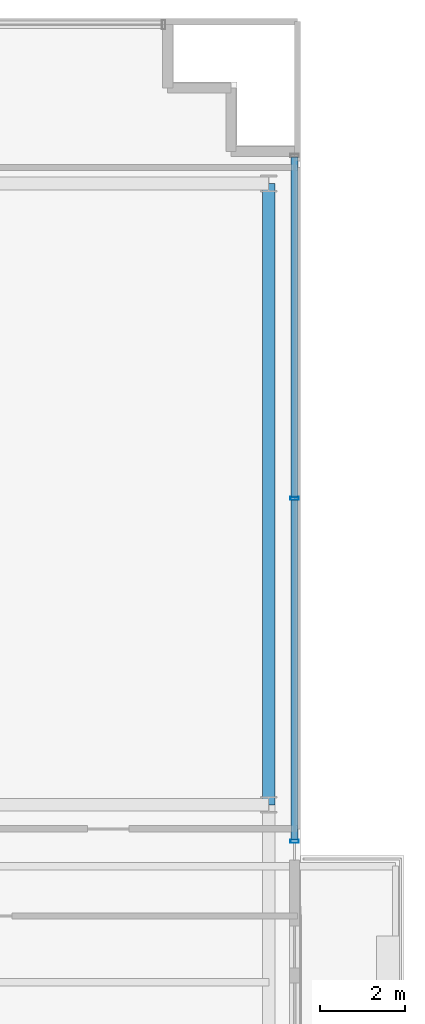
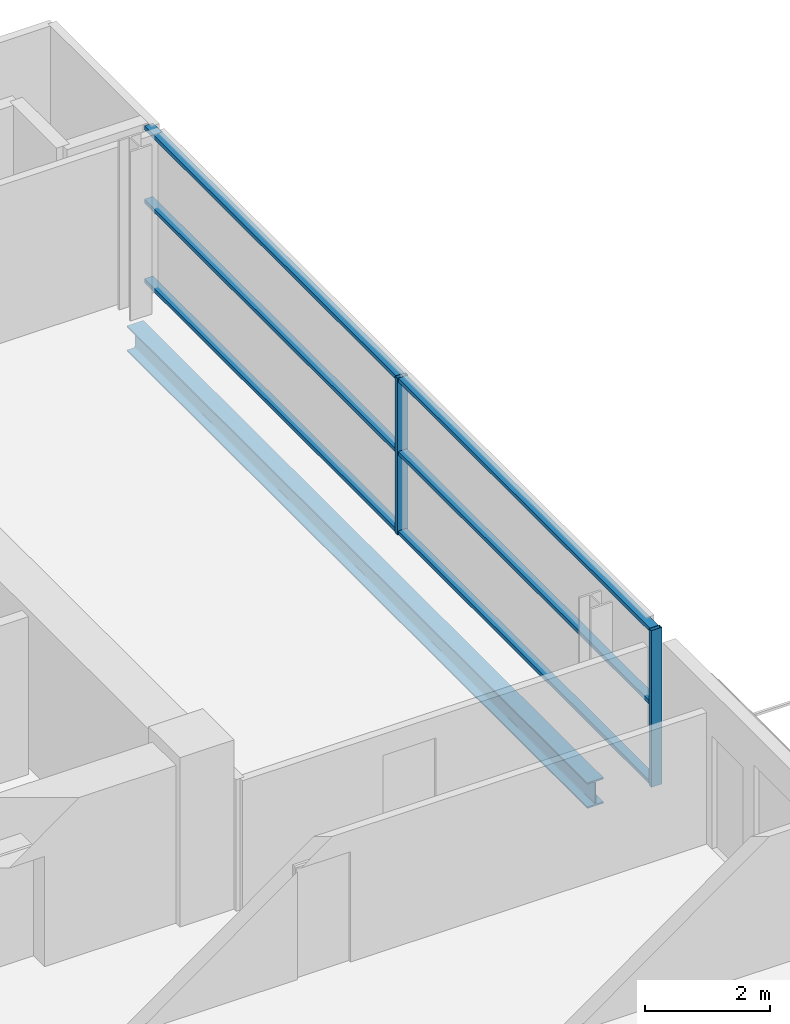
# One storey, part 12 of 25: 8 members, 1 beam, 1 element without a shape of its own.
"""IFC4 building model written with IfcOpenShell, lengths in metres."""

from ifc_helpers import new_model, si_unit, direction, frame, origin, origin_2d, place, context, subcontext, project, spatial, hollow_rectangle, i_section, extrude, source, transform, mapped, material, layer, layer_set, material_profile, profile_set, type_object, element, aggregate, save


model = new_model("IFC4")

# Units and contexts
model_context = context("Model", 3, precision=1e-05, world=origin(), true_north=direction((0.0, 1.0)))
body_context = subcontext(model_context, "Body", "Model", "MODEL_VIEW")
ifc_project = project(units=[si_unit("LENGTHUNIT", "METRE"), si_unit("AREAUNIT", "SQUARE_METRE"), si_unit("VOLUMEUNIT", "CUBIC_METRE"), si_unit("PLANEANGLEUNIT", "RADIAN"), si_unit("MASSUNIT", "GRAM", prefix="KILO")], contexts=[model_context])

# Site, building, storey
site_placement = place(None, origin())
site = spatial("IfcSite", under=ifc_project, at=site_placement, CompositionType="ELEMENT")
building_placement = place(site_placement, origin())
building = spatial("IfcBuilding", under=site, at=building_placement, Name="Zarnakvel Exchange Tower", CompositionType="ELEMENT")
storey_placement = place(building_placement, frame((0.0, 0.0, 162.699951171875)))
storey = spatial("IfcBuildingStorey", under=building, at=storey_placement, Name="L45", CompositionType="ELEMENT", Elevation=162.699951171875)

# Beam
ifc_material_1 = material(Name="Steel S355", Category="steel")
ifc_material_profile_1 = material_profile(ifc_material_1, i_section(OverallWidth=0.300048828125, OverallDepth=0.5, WebThickness=0.014404296875, FlangeThickness=0.028076171875, FilletRadius=0.027099609375, at=origin_2d()))
ifc_profile_set_1 = profile_set([ifc_material_profile_1], Name="Steel S355")
beam_type = type_object("IfcBeamType", Name="SP-02", PredefinedType="SPANDREL", material=ifc_profile_set_1)
beam_placement = place(storey_placement, frame((21.85009765625, -1.199951171875, -0.474853515625), z_axis=(0.0, 1.0, 0.0), x_axis=(-1.0, 0.0, 0.0)))
element("IfcBeam", 1, at=beam_placement, inside=storey, type_object=beam_type, Name="L45 Tower N-S Frame Beam", PredefinedType="SPANDREL", context=body_context, shape_type="SweptSolid", body=[
    extrude(i_section(OverallWidth=0.300048828125, OverallDepth=0.5, WebThickness=0.014404296875, FlangeThickness=0.028076171875, FilletRadius=0.027099609375, at=origin_2d()), origin(), (0.0, 0.0, 1.0), 14.699951171875),
])

# Curtain wall, members
ifc_material_2 = material(Name="Architectural Bronze Anodised Aluminium", Category="aluminium")
ifc_layer = layer(ifc_material_2, 0.199951171875)
ifc_layer_set = layer_set([ifc_layer], Name="Architectural Bronze Anodised Aluminium")
curtain_wall_type = type_object("IfcCurtainWallType", Name="CW-04", PredefinedType="NOTDEFINED", material=ifc_layer_set)
curtain_wall_placement = place(storey_placement, origin())
curtain_wall = element("IfcCurtainWall", 2, at=curtain_wall_placement, inside=storey, type_object=curtain_wall_type, Name="L45 Curtain Wall CW-L45-EN (CW-04)", PredefinedType="NOTDEFINED")
ifc_material_profile_2 = material_profile(ifc_material_2, hollow_rectangle(XDim=0.199951171875, YDim=0.074951171875, WallThickness=0.0048828125, at=origin_2d()))
ifc_profile_set_2 = profile_set([ifc_material_profile_2], Name="Architectural Bronze Anodised Aluminium")
member_type_1 = type_object("IfcMemberType", Name="CWM-04", PredefinedType="MULLION", material=ifc_profile_set_2)
shared_shape_1 = source(origin(), body_context, "Body", "SweptSolid", [
    extrude(hollow_rectangle(XDim=0.199951171875, YDim=0.074951171875, WallThickness=0.0048828125, at=origin_2d()), origin(), (0.0, 0.0, 1.0), 3.054931640625),
])
member_1_placement = place(storey_placement, frame((22.4599609375, -2.0625, 0.0), z_axis=(0.0, 0.0, 1.0), x_axis=(-1.0, 0.0, 0.0)))
member_1 = element("IfcMember", 3, at=member_1_placement, type_object=member_type_1, Name="CW-04 mullion 1", PredefinedType="MULLION", context=body_context, shape_type="MappedRepresentation", body=[
    mapped(shared_shape_1, transform((0.0, 0.0, 0.0), x_axis=(1.0, 0.0, 0.0), y_axis=(0.0, 1.0, 0.0), z_axis=(0.0, 0.0, 1.0), scale=1.0)),
])
member_2_placement = place(storey_placement, frame((22.4599609375, 6.050048828125, 0.0), z_axis=(0.0, 0.0, 1.0), x_axis=(-1.0, 0.0, 0.0)))
member_2 = element("IfcMember", 4, at=member_2_placement, type_object=member_type_1, Name="CW-04 mullion 2", PredefinedType="MULLION", context=body_context, shape_type="MappedRepresentation", body=[
    mapped(shared_shape_1, transform((0.0, 0.0, 0.0), x_axis=(1.0, 0.0, 0.0), y_axis=(0.0, 1.0, 0.0), z_axis=(0.0, 0.0, 1.0), scale=1.0)),
])
ifc_material_profile_3 = material_profile(ifc_material_2, hollow_rectangle(XDim=0.159912109375, YDim=0.074951171875, WallThickness=0.00390625, at=origin_2d()))
ifc_profile_set_3 = profile_set([ifc_material_profile_3], Name="Architectural Bronze Anodised Aluminium")
member_type_2 = type_object("IfcMemberType", Name="CWT-04", PredefinedType="USERDEFINED", material=ifc_profile_set_3)
shared_shape_2 = source(origin(), body_context, "Body", "SweptSolid", [
    extrude(hollow_rectangle(XDim=0.159912109375, YDim=0.074951171875, WallThickness=0.00390625, at=origin_2d()), origin(), (0.0, 0.0, 1.0), 8.037353515625),
])
member_3_placement = place(storey_placement, frame((22.4599609375, -2.02490234375, 0.03759765625), z_axis=(0.0, 1.0, 0.0), x_axis=(-1.0, 0.0, 0.0)))
member_3 = element("IfcMember", 5, at=member_3_placement, type_object=member_type_2, Name="CW-04 transom 1.1", ObjectType="TRANSOM", PredefinedType="USERDEFINED", context=body_context, shape_type="MappedRepresentation", body=[
    mapped(shared_shape_2, transform((0.0, 0.0, 0.0), x_axis=(1.0, 0.0, 0.0), y_axis=(0.0, 1.0, 0.0), z_axis=(0.0, 0.0, 1.0), scale=1.0)),
])
member_4_placement = place(storey_placement, frame((22.4599609375, -2.02490234375, 1.588623046875), z_axis=(0.0, 1.0, 0.0), x_axis=(-1.0, 0.0, 0.0)))
member_4 = element("IfcMember", 6, at=member_4_placement, type_object=member_type_2, Name="CW-04 transom 1.2", ObjectType="TRANSOM", PredefinedType="USERDEFINED", context=body_context, shape_type="MappedRepresentation", body=[
    mapped(shared_shape_2, transform((0.0, 0.0, 0.0), x_axis=(1.0, 0.0, 0.0), y_axis=(0.0, 1.0, 0.0), z_axis=(0.0, 0.0, 1.0), scale=1.0)),
])
member_5_placement = place(storey_placement, frame((22.4599609375, -2.02490234375, 3.017578125), z_axis=(0.0, 1.0, 0.0), x_axis=(-1.0, 0.0, 0.0)))
member_5 = element("IfcMember", 7, at=member_5_placement, type_object=member_type_2, Name="CW-04 transom 1.3", ObjectType="TRANSOM", PredefinedType="USERDEFINED", context=body_context, shape_type="MappedRepresentation", body=[
    mapped(shared_shape_2, transform((0.0, 0.0, 0.0), x_axis=(1.0, 0.0, 0.0), y_axis=(0.0, 1.0, 0.0), z_axis=(0.0, 0.0, 1.0), scale=1.0)),
])
shared_shape_3 = source(origin(), body_context, "Body", "SweptSolid", [
    extrude(hollow_rectangle(XDim=0.159912109375, YDim=0.074951171875, WallThickness=0.00390625, at=origin_2d()), origin(), (0.0, 0.0, 1.0), 8.03759765625),
])
member_6_placement = place(storey_placement, frame((22.4599609375, 6.08740234375, 0.03759765625), z_axis=(0.0, 1.0, 0.0), x_axis=(-1.0, 0.0, 0.0)))
member_6 = element("IfcMember", 8, at=member_6_placement, type_object=member_type_2, Name="CW-04 transom 2.1", ObjectType="TRANSOM", PredefinedType="USERDEFINED", context=body_context, shape_type="MappedRepresentation", body=[
    mapped(shared_shape_3, transform((0.0, 0.0, 0.0), x_axis=(1.0, 0.0, 0.0), y_axis=(0.0, 1.0, 0.0), z_axis=(0.0, 0.0, 1.0), scale=1.0)),
])
member_7_placement = place(storey_placement, frame((22.4599609375, 6.08740234375, 1.588623046875), z_axis=(0.0, 1.0, 0.0), x_axis=(-1.0, 0.0, 0.0)))
member_7 = element("IfcMember", 9, at=member_7_placement, type_object=member_type_2, Name="CW-04 transom 2.2", ObjectType="TRANSOM", PredefinedType="USERDEFINED", context=body_context, shape_type="MappedRepresentation", body=[
    mapped(shared_shape_3, transform((0.0, 0.0, 0.0), x_axis=(1.0, 0.0, 0.0), y_axis=(0.0, 1.0, 0.0), z_axis=(0.0, 0.0, 1.0), scale=1.0)),
])
member_8_placement = place(storey_placement, frame((22.4599609375, 6.08740234375, 3.017578125), z_axis=(0.0, 1.0, 0.0), x_axis=(-1.0, 0.0, 0.0)))
member_8 = element("IfcMember", 10, at=member_8_placement, type_object=member_type_2, Name="CW-04 transom 2.3", ObjectType="TRANSOM", PredefinedType="USERDEFINED", context=body_context, shape_type="MappedRepresentation", body=[
    mapped(shared_shape_3, transform((0.0, 0.0, 0.0), x_axis=(1.0, 0.0, 0.0), y_axis=(0.0, 1.0, 0.0), z_axis=(0.0, 0.0, 1.0), scale=1.0)),
])
aggregate(curtain_wall, [member_1, member_2, member_3, member_4, member_5, member_6, member_7, member_8])

save(model, "model.ifc")
